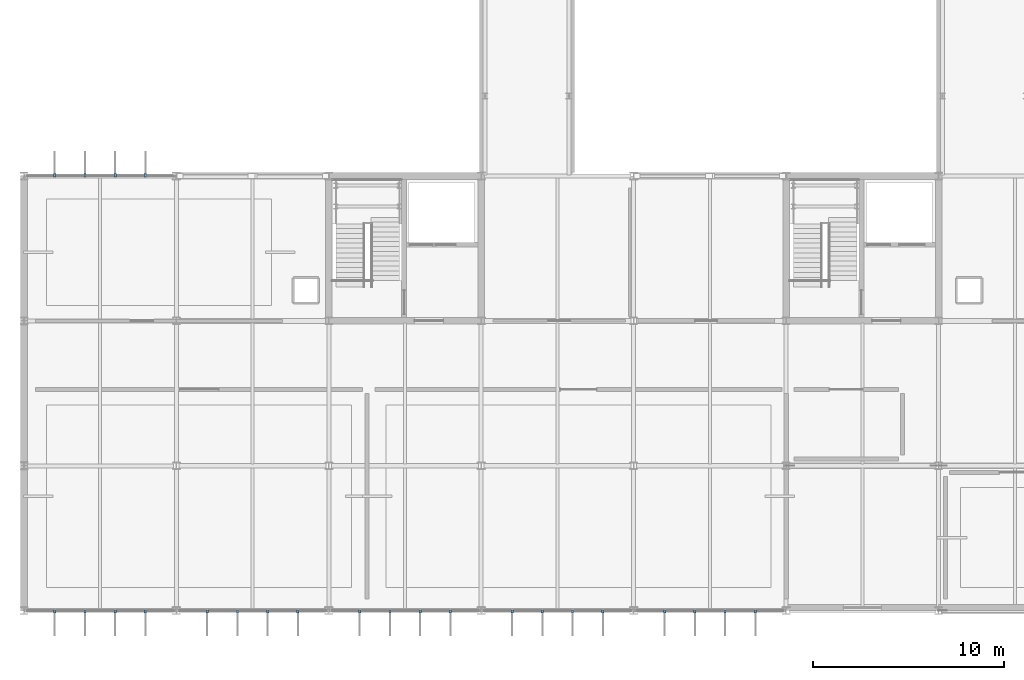
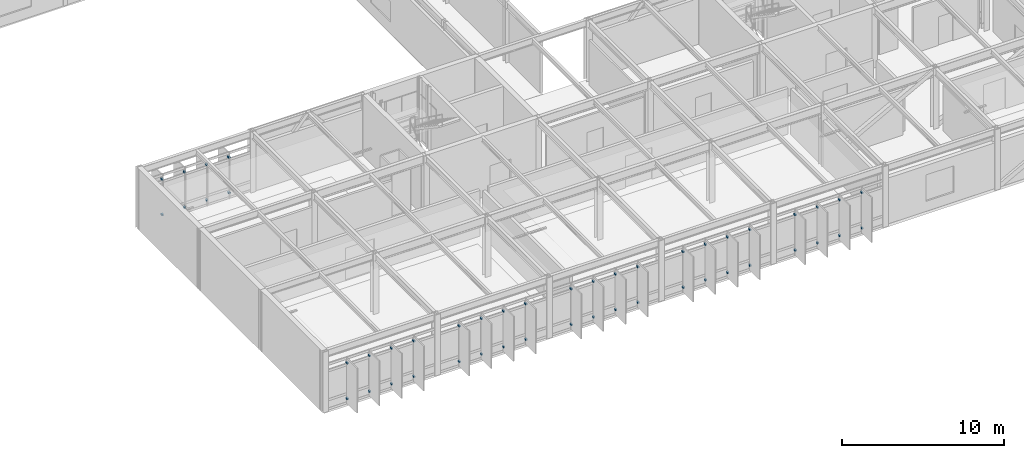
# One storey, part 93 of 104: 48 discrete accessories.
"""IFC4 building model written with IfcOpenShell, lengths in metres."""

from ifc_helpers import new_model, si_unit, direction, frame, origin, origin_2d, place, context, subcontext, project, spatial, rectangle, extrude, material, layer, layer_set, type_object, element, save


model = new_model("IFC4")

# Units and contexts
model_context = context("Model", 3, precision=1e-05, world=origin(), true_north=direction((0.0, 1.0)))
body_context = subcontext(model_context, "Body", "Model", "MODEL_VIEW")
ifc_project = project(units=[si_unit("LENGTHUNIT", "METRE"), si_unit("AREAUNIT", "SQUARE_METRE"), si_unit("VOLUMEUNIT", "CUBIC_METRE"), si_unit("PLANEANGLEUNIT", "RADIAN"), si_unit("MASSUNIT", "GRAM", prefix="KILO")], contexts=[model_context])

# Site, building, storey
site_placement = place(None, origin())
site = spatial("IfcSite", under=ifc_project, at=site_placement, CompositionType="ELEMENT")
building_placement = place(site_placement, origin())
building = spatial("IfcBuilding", under=site, at=building_placement, Name="Zulena Civic Courthouse", CompositionType="ELEMENT")
storey_placement = place(building_placement, frame((0.0, 0.0, 15.60009765625)))
storey = spatial("IfcBuildingStorey", under=building, at=storey_placement, Name="L03", CompositionType="ELEMENT", Elevation=15.60009765625)

# Discrete accessories
ifc_material = material(Name="Gold anodised architectural aluminium AA6063-T6", Category="aluminium")
ifc_layer = layer(ifc_material, 0.1201171875)
ifc_layer_set = layer_set([ifc_layer], Name="Gold anodised architectural aluminium AA6063-T6")
discrete_accessory_type = type_object("IfcDiscreteAccessoryType", Name="FinOutriggerBracket", PredefinedType="BRACKET", material=ifc_layer_set)
for number, where, z_axis, x_axis, name in (
    (1, (5.62158203125, 22.844970703125, 0.33984375), (0.0, 0.0, 1.0), (0.0, 1.0, 0.0), "brk:V2:L03:1:0:1:16.00"),
    (2, (5.62158203125, 22.844970703125, 3.02978515625), (0.0, 0.0, 1.0), (0.0, 1.0, 0.0), "brk:V2:L03:1:0:1:18.69"),
    (3, (7.207275390625, 22.844970703125, 0.33984375), (0.0, 0.0, 1.0), (0.0, 1.0, 0.0), "brk:V2:L03:1:0:2:16.00"),
    (4, (7.207275390625, 22.844970703125, 3.02978515625), (0.0, 0.0, 1.0), (0.0, 1.0, 0.0), "brk:V2:L03:1:0:2:18.69"),
    (5, (8.792724609375, 22.844970703125, 0.33984375), (0.0, 0.0, 1.0), (0.0, 1.0, 0.0), "brk:V2:L03:1:0:3:16.00"),
    (6, (8.792724609375, 22.844970703125, 3.02978515625), (0.0, 0.0, 1.0), (0.0, 1.0, 0.0), "brk:V2:L03:1:0:3:18.69"),
    (7, (10.37841796875, 22.844970703125, 0.33984375), (0.0, 0.0, 1.0), (0.0, 1.0, 0.0), "brk:V2:L03:1:0:4:16.00"),
    (8, (10.37841796875, 22.844970703125, 3.02978515625), (0.0, 0.0, 1.0), (0.0, 1.0, 0.0), "brk:V2:L03:1:0:4:18.69"),
    (9, (42.37841796875, -0.044921875, 0.33984375), (0.0, 0.0, 1.0), (0.0, -1.0, 0.0), "brk:V2:L03:3:3:1:16.00"),
    (10, (42.37841796875, -0.044921875, 3.02978515625), (0.0, 0.0, 1.0), (0.0, -1.0, 0.0), "brk:V2:L03:3:3:1:18.69"),
    (11, (40.792724609375, -0.044921875, 0.33984375), (0.0, 0.0, 1.0), (0.0, -1.0, 0.0), "brk:V2:L03:3:3:2:16.00"),
    (12, (40.792724609375, -0.044921875, 3.02978515625), (0.0, 0.0, 1.0), (0.0, -1.0, 0.0), "brk:V2:L03:3:3:2:18.69"),
    (13, (39.207275390625, -0.044921875, 0.33984375), (0.0, 0.0, 1.0), (0.0, -1.0, 0.0), "brk:V2:L03:3:3:3:16.00"),
    (14, (39.207275390625, -0.044921875, 3.02978515625), (0.0, 0.0, 1.0), (0.0, -1.0, 0.0), "brk:V2:L03:3:3:3:18.69"),
    (15, (37.62158203125, -0.044921875, 0.33984375), (0.0, 0.0, 1.0), (0.0, -1.0, 0.0), "brk:V2:L03:3:3:4:16.00"),
    (16, (37.62158203125, -0.044921875, 3.02978515625), (0.0, 0.0, 1.0), (0.0, -1.0, 0.0), "brk:V2:L03:3:3:4:18.69"),
    (17, (34.37841796875, -0.044921875, 0.33984375), (0.0, 0.0, 1.0), (0.0, -1.0, 0.0), "brk:V2:L03:3:4:1:16.00"),
    (18, (34.37841796875, -0.044921875, 3.02978515625), (0.0, 0.0, 1.0), (0.0, -1.0, 0.0), "brk:V2:L03:3:4:1:18.69"),
    (19, (32.792724609375, -0.044921875, 0.33984375), (0.0, 0.0, 1.0), (0.0, -1.0, 0.0), "brk:V2:L03:3:4:2:16.00"),
    (20, (32.792724609375, -0.044921875, 3.02978515625), (0.0, 0.0, 1.0), (0.0, -1.0, 0.0), "brk:V2:L03:3:4:2:18.69"),
    (21, (31.207275390625, -0.044921875, 0.33984375), (0.0, 0.0, 1.0), (0.0, -1.0, 0.0), "brk:V2:L03:3:4:3:16.00"),
    (22, (31.207275390625, -0.044921875, 3.02978515625), (0.0, 0.0, 1.0), (0.0, -1.0, 0.0), "brk:V2:L03:3:4:3:18.69"),
    (23, (29.62158203125, -0.044921875, 0.33984375), (0.0, 0.0, 1.0), (0.0, -1.0, 0.0), "brk:V2:L03:3:4:4:16.00"),
    (24, (29.62158203125, -0.044921875, 3.02978515625), (0.0, 0.0, 1.0), (0.0, -1.0, 0.0), "brk:V2:L03:3:4:4:18.69"),
    (25, (26.37841796875, -0.044921875, 0.33984375), (0.0, 0.0, 1.0), (0.0, -1.0, 0.0), "brk:V2:L03:3:5:1:16.00"),
    (26, (26.37841796875, -0.044921875, 3.02978515625), (0.0, 0.0, 1.0), (0.0, -1.0, 0.0), "brk:V2:L03:3:5:1:18.69"),
    (27, (24.792724609375, -0.044921875, 0.33984375), (0.0, 0.0, 1.0), (0.0, -1.0, 0.0), "brk:V2:L03:3:5:2:16.00"),
    (28, (24.792724609375, -0.044921875, 3.02978515625), (0.0, 0.0, 1.0), (0.0, -1.0, 0.0), "brk:V2:L03:3:5:2:18.69"),
    (29, (23.207275390625, -0.044921875, 0.33984375), (0.0, 0.0, 1.0), (0.0, -1.0, 0.0), "brk:V2:L03:3:5:3:16.00"),
    (30, (23.207275390625, -0.044921875, 3.02978515625), (0.0, 0.0, 1.0), (0.0, -1.0, 0.0), "brk:V2:L03:3:5:3:18.69"),
    (31, (21.62158203125, -0.044921875, 0.33984375), (0.0, 0.0, 1.0), (0.0, -1.0, 0.0), "brk:V2:L03:3:5:4:16.00"),
    (32, (21.62158203125, -0.044921875, 3.02978515625), (0.0, 0.0, 1.0), (0.0, -1.0, 0.0), "brk:V2:L03:3:5:4:18.69"),
    (33, (18.37841796875, -0.044921875, 0.33984375), (0.0, 0.0, 1.0), (0.0, -1.0, 0.0), "brk:V2:L03:3:6:1:16.00"),
    (34, (18.37841796875, -0.044921875, 3.02978515625), (0.0, 0.0, 1.0), (0.0, -1.0, 0.0), "brk:V2:L03:3:6:1:18.69"),
    (35, (16.792724609375, -0.044921875, 0.33984375), (0.0, 0.0, 1.0), (0.0, -1.0, 0.0), "brk:V2:L03:3:6:2:16.00"),
    (36, (16.792724609375, -0.044921875, 3.02978515625), (0.0, 0.0, 1.0), (0.0, -1.0, 0.0), "brk:V2:L03:3:6:2:18.69"),
    (37, (15.207275390625, -0.044921875, 0.33984375), (0.0, 0.0, 1.0), (0.0, -1.0, 0.0), "brk:V2:L03:3:6:3:16.00"),
    (38, (15.207275390625, -0.044921875, 3.02978515625), (0.0, 0.0, 1.0), (0.0, -1.0, 0.0), "brk:V2:L03:3:6:3:18.69"),
    (39, (13.62158203125, -0.044921875, 0.33984375), (0.0, 0.0, 1.0), (0.0, -1.0, 0.0), "brk:V2:L03:3:6:4:16.00"),
    (40, (13.62158203125, -0.044921875, 3.02978515625), (0.0, 0.0, 1.0), (0.0, -1.0, 0.0), "brk:V2:L03:3:6:4:18.69"),
    (41, (10.37841796875, -0.044921875, 0.33984375), (0.0, 0.0, 1.0), (0.0, -1.0, 0.0), "brk:V2:L03:3:7:1:16.00"),
    (42, (10.37841796875, -0.044921875, 3.02978515625), (0.0, 0.0, 1.0), (0.0, -1.0, 0.0), "brk:V2:L03:3:7:1:18.69"),
    (43, (8.792724609375, -0.044921875, 0.33984375), (0.0, 0.0, 1.0), (0.0, -1.0, 0.0), "brk:V2:L03:3:7:2:16.00"),
    (44, (8.792724609375, -0.044921875, 3.02978515625), (0.0, 0.0, 1.0), (0.0, -1.0, 0.0), "brk:V2:L03:3:7:2:18.69"),
    (45, (7.207275390625, -0.044921875, 0.33984375), (0.0, 0.0, 1.0), (0.0, -1.0, 0.0), "brk:V2:L03:3:7:3:16.00"),
    (46, (7.207275390625, -0.044921875, 3.02978515625), (0.0, 0.0, 1.0), (0.0, -1.0, 0.0), "brk:V2:L03:3:7:3:18.69"),
    (47, (5.62158203125, -0.044921875, 0.33984375), (0.0, 0.0, 1.0), (0.0, -1.0, 0.0), "brk:V2:L03:3:7:4:16.00"),
    (48, (5.62158203125, -0.044921875, 3.02978515625), (0.0, 0.0, 1.0), (0.0, -1.0, 0.0), "brk:V2:L03:3:7:4:18.69"),
):
    element("IfcDiscreteAccessory", number, at=place(storey_placement, frame(where, z_axis=z_axis, x_axis=x_axis)), inside=storey, type_object=discrete_accessory_type, Name=name, PredefinedType="BRACKET", context=body_context, shape_type="SweptSolid", body=[
        extrude(rectangle(XDim=0.179931640625, YDim=0.1201171875, at=origin_2d()), origin(), (0.0, 0.0, 1.0), 0.1201171875),
    ])

save(model, "model.ifc")
